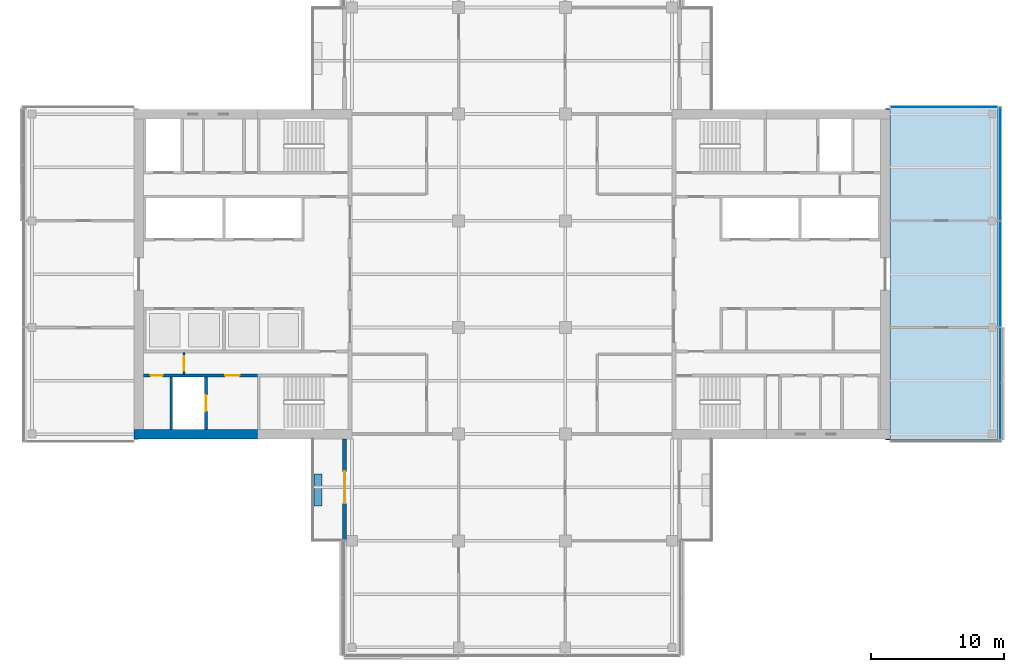
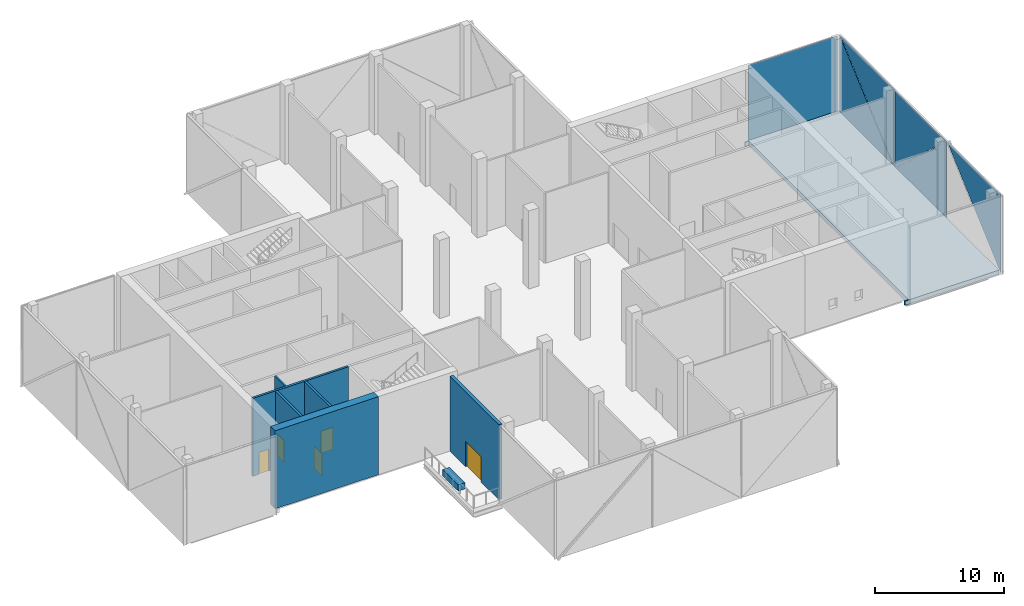
# One storey, part 9 of 20: 7 walls, 6 plates, 5 doors, 1 slab, 5 openings, 2 elements without a shape of their own.
"""IFC4 building model written with IfcOpenShell, lengths in metres."""

from ifc_helpers import new_model, si_unit, direction, frame, frame_2d, origin, place, context, subcontext, project, spatial, polyline, rectangle, outline, extrude, material, layer, layer_set, constituent, constituent_set, type_object, element, fill, aggregate, save


model = new_model("IFC4")

# Units and contexts
model_context = context("Model", 3, precision=1e-05, world=origin(), true_north=direction((0.0, 1.0)))
body_context = subcontext(model_context, "Body", "Model", "MODEL_VIEW")
ifc_project = project(units=[si_unit("LENGTHUNIT", "METRE"), si_unit("AREAUNIT", "SQUARE_METRE"), si_unit("VOLUMEUNIT", "CUBIC_METRE"), si_unit("PLANEANGLEUNIT", "RADIAN"), si_unit("MASSUNIT", "GRAM", prefix="KILO")], contexts=[model_context])

# Site, building, storey
site_placement = place(None, origin())
site = spatial("IfcSite", under=ifc_project, at=site_placement, CompositionType="ELEMENT")
building_placement = place(site_placement, origin())
building = spatial("IfcBuilding", under=site, at=building_placement, Name="Crosswind Convention Tower", CompositionType="ELEMENT")
storey_placement = place(building_placement, frame((0.0, 0.0, 171.5)))
storey = spatial("IfcBuildingStorey", under=building, at=storey_placement, Name="L36", CompositionType="ELEMENT", Elevation=171.5)

# Slab
ifc_material_1 = material(Name="Concrete C40/50", Category="concrete")
ifc_layer_1 = layer(ifc_material_1, 0.39990234375)
ifc_layer_set_1 = layer_set([ifc_layer_1], Name="Concrete C40/50")
slab_type = type_object("IfcSlabType", Name="Composite floor slab 400", PredefinedType="FLOOR", material=ifc_layer_set_1)
slab_placement = place(storey_placement, frame((0.0, 0.0, -0.39990234375)))
element("IfcSlab", 1, at=slab_placement, inside=storey, type_object=slab_type, Name="Floor slab L36 part 3", PredefinedType="FLOOR", context=body_context, shape_type="SweptSolid", body=[
    extrude(outline(polyline([(153.0, 112.449951171875), (161.0, 112.449951171875), (161.449951171875, 112.449951171875), (161.449951171875, 112.0), (161.449951171875, 88.0), (161.449951171875, 87.550048828125), (161.0, 87.550048828125), (153.0, 87.550048828125), (153.0, 87.64990234375), (153.35009765625, 87.64990234375), (153.35009765625, 112.35009765625), (153.0, 112.35009765625), (153.0, 112.449951171875)])), origin(), (0.0, 0.0, 1.0), 0.39990234375),
])

# Curtain wall, plate
ifc_material_2 = material(Name="Aluminium unitised curtain wall", Category="aluminium")
curtain_wall_type_1 = type_object("IfcCurtainWallType", Name="CORE END SLOT WALL 160", PredefinedType="USERDEFINED", material=ifc_material_2)
curtain_wall_1_placement = place(storey_placement, origin())
curtain_wall_1 = element("IfcCurtainWall", 2, at=curtain_wall_1_placement, inside=storey, type_object=curtain_wall_type_1, Name="CW6 L36 E-N.1-1 slot", ObjectType="UNITISED", PredefinedType="USERDEFINED")
ifc_material_3 = material(Name="Laminated insulating glass unit", Category="glass")
ifc_layer_2 = layer(ifc_material_3, 0.02587890625)
ifc_layer_set_2 = layer_set([ifc_layer_2], Name="TRIANGULAR GLASS PANEL 26")
plate_type_1 = type_object("IfcPlateType", Name="TRIANGULAR GLASS PANEL 26", PredefinedType="CURTAIN_PANEL", material=ifc_layer_set_2)
plate_1_placement = place(storey_placement, frame((161.39990234375, 112.557373046875, -0.39990234375), z_axis=(0.0, 0.999999922678, 0.000393249191), x_axis=(-1.0, 0.0, 0.0)))
plate_1 = element("IfcPlate", 3, at=plate_1_placement, type_object=plate_type_1, Name="CW6 panel 1.1", PredefinedType="CURTAIN_PANEL", context=body_context, shape_type="SweptSolid", body=[
    extrude(outline(polyline([(0.0, 0.0), (8.0, 0.0), (8.0, 7.449951747923642), (0.0, 7.449951747923642), (0.0, 0.0)])), origin(), (0.0, 0.0, -1.0), 0.02587890625),
])
aggregate(curtain_wall_1, [plate_1])

# Curtain wall, plates
curtain_wall_type_2 = type_object("IfcCurtainWallType", Name="SKY LOBBY AND LOUNGE WALL 280", PredefinedType="USERDEFINED", material=ifc_material_2)
curtain_wall_2_placement = place(storey_placement, origin())
curtain_wall_2 = element("IfcCurtainWall", 4, at=curtain_wall_2_placement, inside=storey, type_object=curtain_wall_type_2, Name="CW4 L36 E-TIP 1", ObjectType="UNITISED", PredefinedType="USERDEFINED")
ifc_layer_3 = layer(ifc_material_3, 0.0400390625)
ifc_layer_set_3 = layer_set([ifc_layer_3], Name="TRIANGULAR GLASS PANEL 40")
plate_type_2 = type_object("IfcPlateType", Name="TRIANGULAR GLASS PANEL 40", PredefinedType="CURTAIN_PANEL", material=ifc_layer_set_3)
plate_2_placement = place(storey_placement, frame((161.67041015625, 87.625, 7.02490234375), z_axis=(0.999999908312, 0.0, 0.000428223164), x_axis=(0.000428223164, 0.0, -0.999999908312)))
plate_2 = element("IfcPlate", 5, at=plate_2_placement, type_object=plate_type_2, Name="CW4 panel 1.2", PredefinedType="CURTAIN_PANEL", context=body_context, shape_type="SweptSolid", body=[
    extrude(outline(polyline([(0.0, 0.0), (7.411621773303392, 0.0), (0.0, 8.322509765625), (0.0, 0.0)])), origin(), (0.0, 0.0, -1.0), 0.0400390625),
])
plate_3_placement = place(storey_placement, frame((161.62841796875, 103.96240234375, 7.02490234375), z_axis=(0.9999999083, 0.0, 0.000428251377), x_axis=(0.0, -1.0, 0.0)))
plate_3 = element("IfcPlate", 6, at=plate_3_placement, type_object=plate_type_2, Name="CW4 panel 2.1", PredefinedType="CURTAIN_PANEL", context=body_context, shape_type="SweptSolid", body=[
    extrude(outline(polyline([(0.0, 0.0), (7.91015625, 0.0), (0.0, 7.4111334920981635), (0.0, 0.0)])), origin(), (0.0, 0.0, -1.0), 0.0400390625),
])
plate_4_placement = place(storey_placement, frame((161.673583984375, 96.03759765625, -0.39990234375), z_axis=(0.9999999083, 0.0, 0.000428251377), x_axis=(0.0, 1.0, 0.0)))
plate_4 = element("IfcPlate", 7, at=plate_4_placement, type_object=plate_type_2, Name="CW4 panel 2.2", PredefinedType="CURTAIN_PANEL", context=body_context, shape_type="SweptSolid", body=[
    extrude(outline(polyline([(0.0, 0.0), (7.91015625, 0.0), (0.0, 7.4111334920981635), (0.0, 0.0)])), origin(), (0.0, 0.0, -1.0), 0.0400390625),
])
plate_5_placement = place(storey_placement, frame((161.631591796875, 112.534912109375, -0.39990234375), z_axis=(0.999999908312, 0.0, 0.000428223164), x_axis=(-0.000428223164, 0.0, 0.999999908312)))
plate_5 = element("IfcPlate", 8, at=plate_5_placement, type_object=plate_type_2, Name="CW4 panel 3.1", PredefinedType="CURTAIN_PANEL", context=body_context, shape_type="SweptSolid", body=[
    extrude(outline(polyline([(0.0, 0.0), (7.411621773303392, 0.0), (0.0, 8.482177734375), (0.0, 0.0)])), origin(), (0.0, 0.0, -1.0), 0.0400390625),
])
plate_6_placement = place(storey_placement, frame((161.67041015625, 104.03759765625, 7.02490234375), z_axis=(0.999999908312, 0.0, 0.000428223164), x_axis=(0.000428223164, 0.0, -0.999999908312)))
plate_6 = element("IfcPlate", 9, at=plate_6_placement, type_object=plate_type_2, Name="CW4 panel 3.2", PredefinedType="CURTAIN_PANEL", context=body_context, shape_type="SweptSolid", body=[
    extrude(outline(polyline([(0.0, 0.0), (7.411621773303392, 0.0), (0.0, 8.482177734375), (0.0, 0.0)])), origin(), (0.0, 0.0, -1.0), 0.0400390625),
])
aggregate(curtain_wall_2, [plate_2, plate_3, plate_4, plate_5, plate_6])

# Wall, opening, door
ifc_material_4 = material(Name="Concrete C50/60", Category="concrete")
ifc_layer_4 = layer(ifc_material_4, 0.199951171875)
ifc_layer_set_4 = layer_set([ifc_layer_4], Name="Concrete C50/60")
wall_type_1 = type_object("IfcWallType", Name="Concrete shaft and stair wall 200", PredefinedType="SHEAR", material=ifc_layer_set_4)
wall_1_placement = place(storey_placement, frame((102.050048828125, 92.300048828125, 0.0), z_axis=(0.0, 0.0, 1.0), x_axis=(0.0, -1.0, 0.0)))
wall_1 = element("IfcWall", 10, at=wall_1_placement, inside=storey, type_object=wall_type_1, Name="Wall PFLW W L36", PredefinedType="SHEAR", context=body_context, shape_type="SweptSolid", body=[
    extrude(rectangle(XDim=3.949951171875, YDim=0.199951171875, at=frame_2d((1.97509765625, 0.0))), origin(), (0.0, 0.0, 1.0), 7.39990234375),
])
opening_1_placement = place(wall_1_placement, frame((1.375, 0.0, 0.0)))
opening_1 = element("IfcOpeningElement", 11, at=opening_1_placement, cuts=wall_1, Name="Opening LD1", PredefinedType="OPENING", context=body_context, shape_type="SweptSolid", body=[
    extrude(rectangle(XDim=1.199951171875, YDim=2.10009765625, at=frame_2d((0.60009765625, 1.050048828125))), frame((0.0, 0.10986328125, 0.0), z_axis=(0.0, -1.0, 0.0), x_axis=(1.0, 0.0, 0.0)), (0.0, 0.0, 1.0), 0.219970703125),
])
ifc_material_5 = material(Name="Stainless steel", Category="steel")
door_type_1 = type_object("IfcDoorType", Name="Lift landing door 1200x2100", OperationType="DOUBLE_DOOR_SLIDING", PredefinedType="DOOR", material=ifc_material_5)
door_1_placement = place(opening_1_placement, origin())
door_1 = element("IfcDoor", 12, at=door_1_placement, inside=storey, type_object=door_type_1, Name="Landing door FF2 L36", ObjectType="LD1", OperationType="DOUBLE_DOOR_SLIDING", OverallHeight=2.10009765625, OverallWidth=1.199951171875, PredefinedType="DOOR", context=body_context, shape_type="SweptSolid", body=[
    extrude(rectangle(XDim=1.199951171875, YDim=2.10009765625, at=frame_2d((0.60009765625, 1.050048828125))), frame((0.0, 0.02490234375, 0.0), z_axis=(0.0, -1.0, 0.0), x_axis=(1.0, 0.0, 0.0)), (0.0, 0.0, 1.0), 0.050048828125),
])
fill(opening_1, door_1)

# Wall
wall_2_placement = place(storey_placement, frame((99.449951171875, 92.300048828125, 0.0), z_axis=(0.0, 0.0, 1.0), x_axis=(0.0, -1.0, 0.0)))
element("IfcWall", 13, at=wall_2_placement, inside=storey, type_object=wall_type_1, Name="Wall PFSE W L36", PredefinedType="SHEAR", context=body_context, shape_type="SweptSolid", body=[
    extrude(rectangle(XDim=3.949951171875, YDim=0.199951171875, at=frame_2d((1.97509765625, 0.0))), origin(), (0.0, 0.0, 1.0), 7.39990234375),
])

# Wall, openings, doors
wall_3_placement = place(storey_placement, frame((105.89990234375, 92.39990234375, 0.0), z_axis=(0.0, 0.0, 1.0), x_axis=(-1.0, 0.0, 0.0)))
wall_3 = element("IfcWall", 14, at=wall_3_placement, inside=storey, type_object=wall_type_1, Name="Wall PCX W L36", PredefinedType="SHEAR", context=body_context, shape_type="SweptSolid", body=[
    extrude(rectangle(XDim=8.5498046875, YDim=0.199951171875, at=frame_2d((4.27490234375, 0.0))), origin(), (0.0, 0.0, 1.0), 7.39990234375),
])
opening_2_placement = place(wall_3_placement, frame((1.324951171875, 0.0, 0.0)))
opening_2 = element("IfcOpeningElement", 15, at=opening_2_placement, cuts=wall_3, Name="Opening D104", PredefinedType="OPENING", context=body_context, shape_type="SweptSolid", body=[
    extrude(rectangle(XDim=1.10009765625, YDim=2.10009765625, at=frame_2d((0.550048828125, 1.050048828125))), frame((0.0, 0.10986328125, 0.0), z_axis=(0.0, -1.0, 0.0), x_axis=(1.0, 0.0, 0.0)), (0.0, 0.0, 1.0), 0.219970703125),
])
opening_3_placement = place(wall_3_placement, frame((7.10009765625, 0.0, 0.0)))
opening_3 = element("IfcOpeningElement", 16, at=opening_3_placement, cuts=wall_3, Name="Opening D106", PredefinedType="OPENING", context=body_context, shape_type="SweptSolid", body=[
    extrude(rectangle(XDim=0.89990234375, YDim=2.10009765625, at=frame_2d((0.449951171875, 1.050048828125))), frame((0.0, 0.10986328125, 0.0), z_axis=(0.0, -1.0, 0.0), x_axis=(1.0, 0.0, 0.0)), (0.0, 0.0, 1.0), 0.219970703125),
])
ifc_material_6 = material(Name="Steel fire door", Category="steel")
door_type_2 = type_object("IfcDoorType", Name="Fire-rated single door 1100x2100", OperationType="NOTDEFINED", PredefinedType="DOOR", material=ifc_material_6)
door_2_placement = place(opening_2_placement, origin())
door_2 = element("IfcDoor", 17, at=door_2_placement, inside=storey, type_object=door_type_2, Name="Fire-fighting lobby FF2 door L36", ObjectType="D104", OperationType="SINGLE_SWING_RIGHT", OverallHeight=2.10009765625, OverallWidth=1.10009765625, PredefinedType="DOOR", context=body_context, shape_type="SweptSolid", body=[
    extrude(rectangle(XDim=1.10009765625, YDim=2.10009765625, at=frame_2d((0.550048828125, 1.050048828125))), frame((0.0, 0.02490234375, 0.0), z_axis=(0.0, -1.0, 0.0), x_axis=(1.0, 0.0, 0.0)), (0.0, 0.0, 1.0), 0.050048828125),
])
fill(opening_2, door_2)
ifc_material_7 = material(Name="Timber door", Category="wood")
door_type_3 = type_object("IfcDoorType", Name="Single leaf door 900x2100", OperationType="NOTDEFINED", PredefinedType="DOOR", material=ifc_material_7)
door_3_placement = place(opening_3_placement, origin())
door_3 = element("IfcDoor", 18, at=door_3_placement, inside=storey, type_object=door_type_3, Name="Door to telecoms room L36", ObjectType="D106", OperationType="SINGLE_SWING_RIGHT", OverallHeight=2.10009765625, OverallWidth=0.89990234375, PredefinedType="DOOR", context=body_context, shape_type="SweptSolid", body=[
    extrude(rectangle(XDim=0.89990234375, YDim=2.10009765625, at=frame_2d((0.449951171875, 1.050048828125))), frame((0.0, 0.02490234375, 0.0), z_axis=(0.0, -1.0, 0.0), x_axis=(1.0, 0.0, 0.0)), (0.0, 0.0, 1.0), 0.050048828125),
])
fill(opening_3, door_3)

# Wall, opening, door
ifc_material_8 = material(Name="Gypsum plasterboard partition", Category="gypsum")
ifc_layer_5 = layer(ifc_material_8, 0.125)
ifc_layer_set_5 = layer_set([ifc_layer_5], Name="Drywall partition wall 125")
wall_type_2 = type_object("IfcWallType", Name="Drywall partition wall 125", PredefinedType="PARTITIONING", material=ifc_layer_set_5)
wall_4_placement = place(storey_placement, frame((100.39990234375, 94.10009765625, 0.0), z_axis=(0.0, 0.0, 1.0), x_axis=(0.0, -1.0, 0.0)))
wall_4 = element("IfcWall", 19, at=wall_4_placement, inside=storey, type_object=wall_type_2, Name="Wall PXC1 W L36", PredefinedType="PARTITIONING", context=body_context, shape_type="SweptSolid", body=[
    extrude(rectangle(XDim=1.60009765625, YDim=0.125, at=frame_2d((0.800048828125, 0.0))), origin(), (0.0, 0.0, 1.0), 7.39990234375),
])
opening_4_placement = place(wall_4_placement, frame((0.25, 0.0, 0.0)))
opening_4 = element("IfcOpeningElement", 20, at=opening_4_placement, cuts=wall_4, Name="Opening D104", PredefinedType="OPENING", context=body_context, shape_type="SweptSolid", body=[
    extrude(rectangle(XDim=1.10009765625, YDim=2.10009765625, at=frame_2d((0.550048828125, 1.050048828125))), frame((0.0, 0.072509765625, 0.0), z_axis=(0.0, -1.0, 0.0), x_axis=(1.0, 0.0, 0.0)), (0.0, 0.0, 1.0), 0.14501953125),
])
door_4_placement = place(opening_4_placement, origin())
door_4 = element("IfcDoor", 21, at=door_4_placement, inside=storey, type_object=door_type_2, Name="Corridor smoke door L36", ObjectType="D104", OperationType="SINGLE_SWING_RIGHT", OverallHeight=2.10009765625, OverallWidth=1.10009765625, PredefinedType="DOOR", context=body_context, shape_type="SweptSolid", body=[
    extrude(rectangle(XDim=1.10009765625, YDim=2.10009765625, at=frame_2d((0.550048828125, 1.050048828125))), frame((0.0, 0.02490234375, 0.0), z_axis=(0.0, -1.0, 0.0), x_axis=(1.0, 0.0, 0.0)), (0.0, 0.0, 1.0), 0.050048828125),
])
fill(opening_4, door_4)

# Wall
ifc_material_9 = material(Name="Concrete C30/37", Category="concrete")
ifc_layer_6 = layer(ifc_material_9, 0.60009765625)
ifc_layer_set_6 = layer_set([ifc_layer_6], Name="Concrete C30/37")
wall_type_3 = type_object("IfcWallType", Name="PLANTER BOX WALL 600", PredefinedType="SOLIDWALL", material=ifc_layer_set_6)
wall_5_placement = place(storey_placement, frame((110.449951171875, 85.02490234375, 0.0), z_axis=(0.0, 0.0, 1.0), x_axis=(0.0, -1.0, 0.0)))
element("IfcWall", 22, at=wall_5_placement, inside=storey, type_object=wall_type_3, Name="PLANTER L36 S-W.1-1", PredefinedType="SOLIDWALL", context=body_context, shape_type="SweptSolid", body=[
    extrude(rectangle(XDim=2.39990234375, YDim=0.60009765625, at=frame_2d((1.199951171875, 0.0))), origin(), (0.0, 0.0, 1.0), 0.60009765625),
])

# Wall, opening, door
ifc_material_10 = material(Name="Terracotta rainscreen", Category="ceramic")
ifc_layer_7 = layer(ifc_material_10, 0.02001953125)
ifc_material_11 = material(Name="Mineral wool insulation", Category="insulation")
ifc_layer_8 = layer(ifc_material_11, 0.10009765625)
ifc_material_12 = material(Name="Concrete blockwork", Category="masonry")
ifc_layer_9 = layer(ifc_material_12, 0.179931640625)
ifc_layer_set_7 = layer_set([ifc_layer_7, ifc_layer_8, ifc_layer_9], Name="TERRACOTTA INFILL WALL 300")
wall_type_4 = type_object("IfcWallType", Name="TERRACOTTA INFILL WALL 300", PredefinedType="SOLIDWALL", material=ifc_layer_set_7)
wall_6_placement = place(storey_placement, frame((112.449951171875, 87.64990234375, 0.0), z_axis=(0.0, 0.0, 1.0), x_axis=(0.0, -1.0, 0.0)))
wall_6 = element("IfcWall", 23, at=wall_6_placement, inside=storey, type_object=wall_type_4, Name="Notch front wall L36 S-W.1-1", PredefinedType="SOLIDWALL", context=body_context, shape_type="SweptSolid", body=[
    extrude(rectangle(XDim=7.6123046875, YDim=0.300048828125, at=frame_2d((3.80615234375, 0.0))), origin(), (0.0, 0.0, 1.0), 7.10009765625),
])
opening_5_placement = place(wall_6_placement, frame((2.449951171875, 0.0, 0.0)))
opening_5 = element("IfcOpeningElement", 24, at=opening_5_placement, cuts=wall_6, Name="Opening D143", PredefinedType="OPENING", context=body_context, shape_type="SweptSolid", body=[
    extrude(rectangle(XDim=2.39990234375, YDim=2.39990234375, at=frame_2d((1.199951171875, 1.199951171875))), frame((0.0, 0.159912109375, 0.0), z_axis=(0.0, -1.0, 0.0), x_axis=(1.0, 0.0, 0.0)), (0.0, 0.0, 1.0), 0.320068359375),
])
ifc_material_13 = material(Name="Aluminium glazed door", Category="aluminium")
door_type_4 = type_object("IfcDoorType", Name="WINTER GARDEN SLIDING DOOR 2400X2400", OperationType="SLIDING_TO_LEFT", PredefinedType="DOOR", material=ifc_material_13)
door_5_placement = place(opening_5_placement, frame((2.39990234375, 0.0, 0.0), z_axis=(0.0, 0.0, 1.0), x_axis=(-1.0, 0.0, 0.0)))
door_5 = element("IfcDoor", 25, at=door_5_placement, inside=storey, type_object=door_type_4, Name="D143 winter garden door L36 S-W.1-1", ObjectType="D143", OperationType="SLIDING_TO_LEFT", OverallHeight=2.39990234375, OverallWidth=2.39990234375, PredefinedType="DOOR", context=body_context, shape_type="SweptSolid", body=[
    extrude(rectangle(XDim=2.39990234375, YDim=2.39990234375, at=frame_2d((1.199951171875, 1.199951171875))), frame((0.0, 0.02490234375, 0.0), z_axis=(0.0, -1.0, 0.0), x_axis=(1.0, 0.0, 0.0)), (0.0, 0.0, 1.0), 0.050048828125),
])
fill(opening_5, door_5)

# Wall
ifc_material_14 = material(Name="Concrete C60/75", Category="concrete")
ifc_constituent_1 = constituent(ifc_material_14, Name="Structure")
ifc_constituent_2 = constituent(ifc_material_10, Name="Facing")
ifc_constituent_set = constituent_set(constituents=[ifc_constituent_1, ifc_constituent_2], Name="Concrete C60/75, Terracotta rainscreen")
wall_type_5 = type_object("IfcWallType", Name="Terracotta rainscreen on concrete core wall 700", PredefinedType="SHEAR", material=ifc_constituent_set)
wall_7_placement = place(storey_placement, frame((105.89990234375, 88.0, 0.0), z_axis=(0.0, 0.0, 1.0), x_axis=(-1.0, 0.0, 0.0)))
element("IfcWall", 26, at=wall_7_placement, inside=storey, type_object=wall_type_5, Name="Wall N2 W L36", PredefinedType="SHEAR", context=body_context, shape_type="SweptSolid", body=[
    extrude(rectangle(XDim=9.25, YDim=0.699951171875, at=frame_2d((4.625, 0.0))), origin(), (0.0, 0.0, 1.0), 7.39990234375),
])

save(model, "model.ifc")
